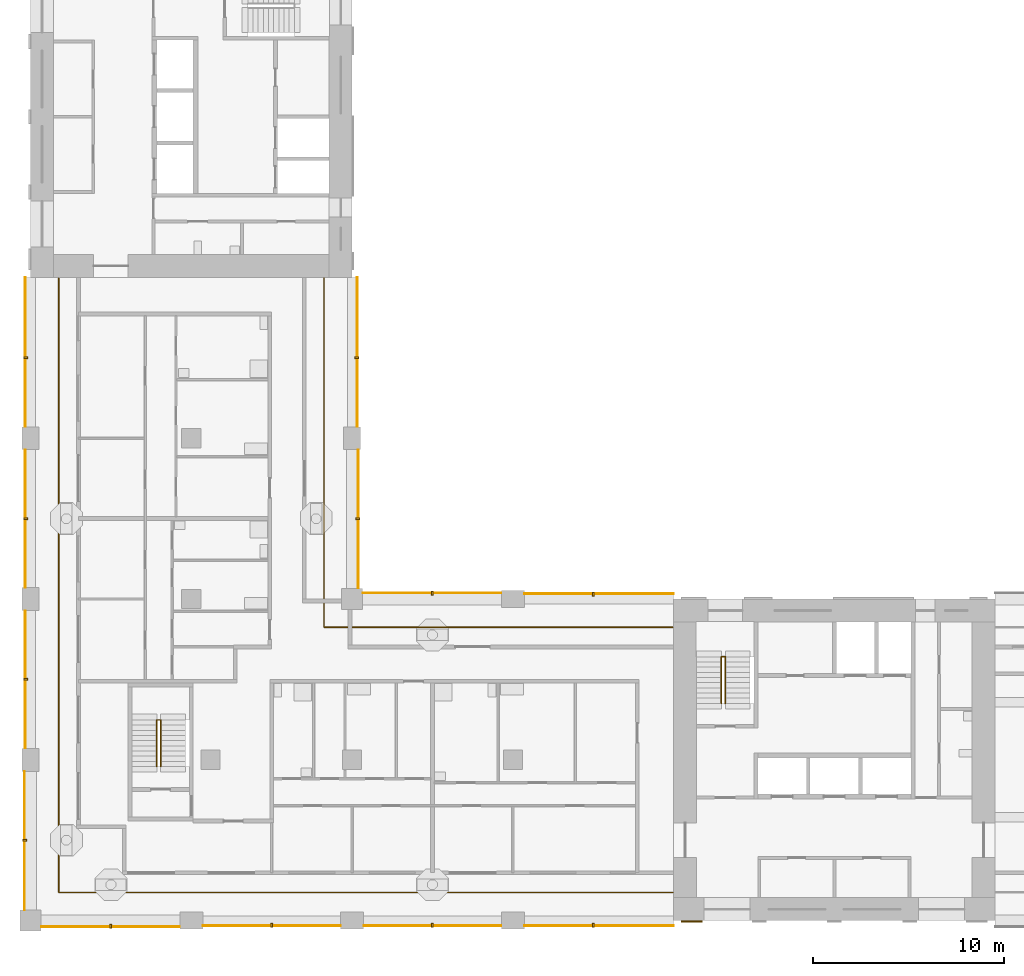
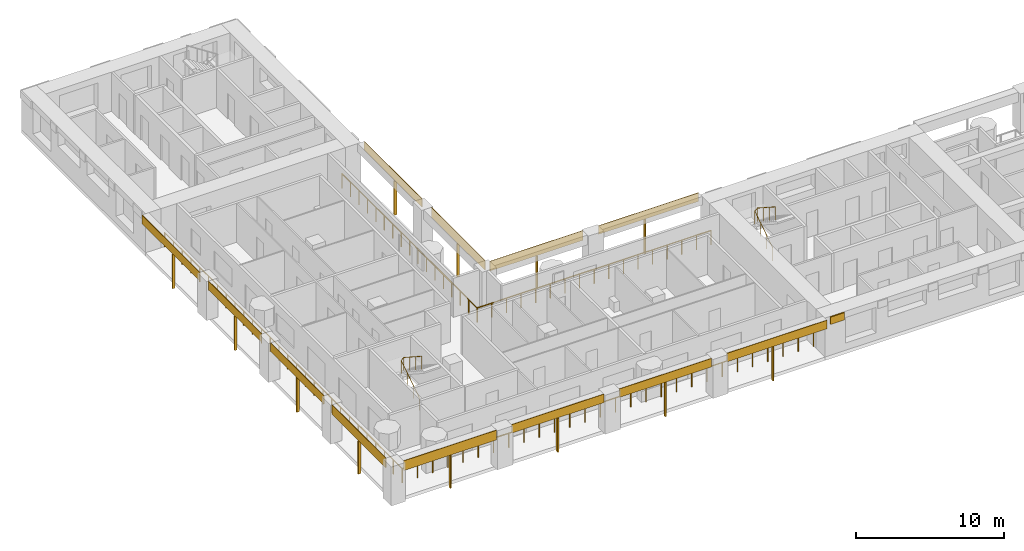
# One storey, part 8 of 13: 25 shading devices, 4 railings.
"""IFC4 building model written with IfcOpenShell, lengths in metres."""

from ifc_helpers import new_model, si_unit, direction, frame, origin, origin_2d, place, context, subcontext, project, spatial, rectangle, circle, extrude, material, layer, layer_set, material_profile, profile_set, type_object, element, save


model = new_model("IFC4")

# Units and contexts
model_context = context("Model", 3, precision=1e-05, world=origin(), true_north=direction((0.0, 1.0)))
body_context = subcontext(model_context, "Body", "Model", "MODEL_VIEW")
ifc_project = project(units=[si_unit("LENGTHUNIT", "METRE"), si_unit("AREAUNIT", "SQUARE_METRE"), si_unit("VOLUMEUNIT", "CUBIC_METRE"), si_unit("PLANEANGLEUNIT", "RADIAN"), si_unit("MASSUNIT", "GRAM", prefix="KILO")], contexts=[model_context])

# Site, building, storey
site_placement = place(None, origin())
site = spatial("IfcSite", under=ifc_project, at=site_placement, CompositionType="ELEMENT")
building_placement = place(site_placement, origin())
building = spatial("IfcBuilding", under=site, at=building_placement, Name="Vermilion Gate Residences", CompositionType="ELEMENT")
storey_placement = place(building_placement, frame((0.0, 0.0, 182.699951171875)))
storey = spatial("IfcBuildingStorey", under=building, at=storey_placement, Name="L47", CompositionType="ELEMENT", Elevation=182.699951171875)

# Railings
ifc_material_1 = material(Name="Stainless steel and toughened glass", Category="steel")
railing_type_1 = type_object("IfcRailingType", Name="LOGGIA GUARD STEEL AND GLASS 1200", PredefinedType="GUARDRAIL", material=ifc_material_1)
railing_1_placement = place(storey_placement, frame((41.97802734375, 23.72509765625, 0.0)))
element("IfcRailing", 1, at=railing_1_placement, inside=storey, type_object=railing_type_1, Name="Loggia guard", PredefinedType="GUARDRAIL", context=body_context, shape_type="SweptSolid", body=[
    extrude(circle(Radius=0.030029296875, at=origin_2d()), frame((0.0, 0.0, 1.169921875), z_axis=(-1.0, 0.0, 0.0), x_axis=(0.0, -1.0, 0.0)), (0.0, 0.0, 1.0), 18.2529296875),
    extrude(circle(Radius=0.030029296875, at=origin_2d()), frame((-18.2529296875, 0.0, 1.169921875), z_axis=(0.0, 1.0, 0.0), x_axis=(-1.0, 0.0, 0.0)), (0.0, 0.0, 1.0), 18.2529296875),
    extrude(circle(Radius=0.02490234375, at=origin_2d()), origin(), (0.0, 0.0, 1.0), 1.139892578125),
    extrude(circle(Radius=0.02490234375, at=origin_2d()), frame((-1.140869140625, 0.0, 0.0)), (0.0, 0.0, 1.0), 1.139892578125),
    extrude(circle(Radius=0.02490234375, at=origin_2d()), frame((-2.28173828125, 0.0, 0.0)), (0.0, 0.0, 1.0), 1.139892578125),
    extrude(circle(Radius=0.02490234375, at=origin_2d()), frame((-3.42236328125, 0.0, 0.0)), (0.0, 0.0, 1.0), 1.139892578125),
    extrude(circle(Radius=0.02490234375, at=origin_2d()), frame((-4.563232421875, 0.0, 0.0)), (0.0, 0.0, 1.0), 1.139892578125),
    extrude(circle(Radius=0.02490234375, at=origin_2d()), frame((-5.7041015625, 0.0, 0.0)), (0.0, 0.0, 1.0), 1.139892578125),
    extrude(circle(Radius=0.02490234375, at=origin_2d()), frame((-6.8447265625, 0.0, 0.0)), (0.0, 0.0, 1.0), 1.139892578125),
    extrude(circle(Radius=0.02490234375, at=origin_2d()), frame((-7.985595703125, 0.0, 0.0)), (0.0, 0.0, 1.0), 1.139892578125),
    extrude(circle(Radius=0.02490234375, at=origin_2d()), frame((-9.12646484375, 0.0, 0.0)), (0.0, 0.0, 1.0), 1.139892578125),
    extrude(circle(Radius=0.02490234375, at=origin_2d()), frame((-10.267333984375, 0.0, 0.0)), (0.0, 0.0, 1.0), 1.139892578125),
    extrude(circle(Radius=0.02490234375, at=origin_2d()), frame((-11.408203125, 0.0, 0.0)), (0.0, 0.0, 1.0), 1.139892578125),
    extrude(circle(Radius=0.02490234375, at=origin_2d()), frame((-12.548828125, 0.0, 0.0)), (0.0, 0.0, 1.0), 1.139892578125),
    extrude(circle(Radius=0.02490234375, at=origin_2d()), frame((-13.689697265625, 0.0, 0.0)), (0.0, 0.0, 1.0), 1.139892578125),
    extrude(circle(Radius=0.02490234375, at=origin_2d()), frame((-14.83056640625, 0.0, 0.0)), (0.0, 0.0, 1.0), 1.139892578125),
    extrude(circle(Radius=0.02490234375, at=origin_2d()), frame((-15.97119140625, 0.0, 0.0)), (0.0, 0.0, 1.0), 1.139892578125),
    extrude(circle(Radius=0.02490234375, at=origin_2d()), frame((-17.112060546875, 0.0, 0.0)), (0.0, 0.0, 1.0), 1.139892578125),
    extrude(circle(Radius=0.02490234375, at=origin_2d()), frame((-18.2529296875, 0.0, 0.0)), (0.0, 0.0, 1.0), 1.139892578125),
    extrude(circle(Radius=0.02490234375, at=origin_2d()), frame((-18.2529296875, 1.140869140625, 0.0)), (0.0, 0.0, 1.0), 1.139892578125),
    extrude(circle(Radius=0.02490234375, at=origin_2d()), frame((-18.2529296875, 2.28173828125, 0.0)), (0.0, 0.0, 1.0), 1.139892578125),
    extrude(circle(Radius=0.02490234375, at=origin_2d()), frame((-18.2529296875, 3.42236328125, 0.0)), (0.0, 0.0, 1.0), 1.139892578125),
    extrude(circle(Radius=0.02490234375, at=origin_2d()), frame((-18.2529296875, 4.563232421875, 0.0)), (0.0, 0.0, 1.0), 1.139892578125),
    extrude(circle(Radius=0.02490234375, at=origin_2d()), frame((-18.2529296875, 5.7041015625, 0.0)), (0.0, 0.0, 1.0), 1.139892578125),
    extrude(circle(Radius=0.02490234375, at=origin_2d()), frame((-18.2529296875, 6.8447265625, 0.0)), (0.0, 0.0, 1.0), 1.139892578125),
    extrude(circle(Radius=0.02490234375, at=origin_2d()), frame((-18.2529296875, 7.985595703125, 0.0)), (0.0, 0.0, 1.0), 1.139892578125),
    extrude(circle(Radius=0.02490234375, at=origin_2d()), frame((-18.2529296875, 9.12646484375, 0.0)), (0.0, 0.0, 1.0), 1.139892578125),
    extrude(circle(Radius=0.02490234375, at=origin_2d()), frame((-18.2529296875, 10.267333984375, 0.0)), (0.0, 0.0, 1.0), 1.139892578125),
    extrude(circle(Radius=0.02490234375, at=origin_2d()), frame((-18.2529296875, 11.408203125, 0.0)), (0.0, 0.0, 1.0), 1.139892578125),
    extrude(circle(Radius=0.02490234375, at=origin_2d()), frame((-18.2529296875, 12.548828125, 0.0)), (0.0, 0.0, 1.0), 1.139892578125),
    extrude(circle(Radius=0.02490234375, at=origin_2d()), frame((-18.2529296875, 13.689697265625, 0.0)), (0.0, 0.0, 1.0), 1.139892578125),
    extrude(circle(Radius=0.02490234375, at=origin_2d()), frame((-18.2529296875, 14.83056640625, 0.0)), (0.0, 0.0, 1.0), 1.139892578125),
    extrude(circle(Radius=0.02490234375, at=origin_2d()), frame((-18.2529296875, 15.97119140625, 0.0)), (0.0, 0.0, 1.0), 1.139892578125),
    extrude(circle(Radius=0.02490234375, at=origin_2d()), frame((-18.2529296875, 17.112060546875, 0.0)), (0.0, 0.0, 1.0), 1.139892578125),
    extrude(circle(Radius=0.02490234375, at=origin_2d()), frame((-18.2529296875, 18.2529296875, 0.0)), (0.0, 0.0, 1.0), 1.139892578125),
])
railing_2_placement = place(storey_placement, frame((9.875, 41.97802734375, 0.0)))
element("IfcRailing", 2, at=railing_2_placement, inside=storey, type_object=railing_type_1, Name="Loggia guard", PredefinedType="GUARDRAIL", context=body_context, shape_type="SweptSolid", body=[
    extrude(circle(Radius=0.030029296875, at=origin_2d()), frame((0.0, 0.0, 1.169921875), z_axis=(0.0, -1.0, 0.0), x_axis=(1.0, 0.0, 0.0)), (0.0, 0.0, 1.0), 32.10302734375),
    extrude(circle(Radius=0.030029296875, at=origin_2d()), frame((0.0, -32.10302734375, 1.169921875), z_axis=(1.0, 0.0, 0.0), x_axis=(0.0, 1.0, 0.0)), (0.0, 0.0, 1.0), 32.10302734375),
    extrude(circle(Radius=0.02490234375, at=origin_2d()), origin(), (0.0, 0.0, 1.0), 1.139892578125),
    extrude(circle(Radius=0.02490234375, at=origin_2d()), frame((0.0, -1.18896484375, 0.0)), (0.0, 0.0, 1.0), 1.139892578125),
    extrude(circle(Radius=0.02490234375, at=origin_2d()), frame((0.0, -2.3779296875, 0.0)), (0.0, 0.0, 1.0), 1.139892578125),
    extrude(circle(Radius=0.02490234375, at=origin_2d()), frame((0.0, -3.56689453125, 0.0)), (0.0, 0.0, 1.0), 1.139892578125),
    extrude(circle(Radius=0.02490234375, at=origin_2d()), frame((0.0, -4.756103515625, 0.0)), (0.0, 0.0, 1.0), 1.139892578125),
    extrude(circle(Radius=0.02490234375, at=origin_2d()), frame((0.0, -5.945068359375, 0.0)), (0.0, 0.0, 1.0), 1.139892578125),
    extrude(circle(Radius=0.02490234375, at=origin_2d()), frame((0.0, -7.134033203125, 0.0)), (0.0, 0.0, 1.0), 1.139892578125),
    extrude(circle(Radius=0.02490234375, at=origin_2d()), frame((0.0, -8.322998046875, 0.0)), (0.0, 0.0, 1.0), 1.139892578125),
    extrude(circle(Radius=0.02490234375, at=origin_2d()), frame((0.0, -9.511962890625, 0.0)), (0.0, 0.0, 1.0), 1.139892578125),
    extrude(circle(Radius=0.02490234375, at=origin_2d()), frame((0.0, -10.700927734375, 0.0)), (0.0, 0.0, 1.0), 1.139892578125),
    extrude(circle(Radius=0.02490234375, at=origin_2d()), frame((0.0, -11.889892578125, 0.0)), (0.0, 0.0, 1.0), 1.139892578125),
    extrude(circle(Radius=0.02490234375, at=origin_2d()), frame((0.0, -13.0791015625, 0.0)), (0.0, 0.0, 1.0), 1.139892578125),
    extrude(circle(Radius=0.02490234375, at=origin_2d()), frame((0.0, -14.26806640625, 0.0)), (0.0, 0.0, 1.0), 1.139892578125),
    extrude(circle(Radius=0.02490234375, at=origin_2d()), frame((0.0, -15.45703125, 0.0)), (0.0, 0.0, 1.0), 1.139892578125),
    extrude(circle(Radius=0.02490234375, at=origin_2d()), frame((0.0, -16.64599609375, 0.0)), (0.0, 0.0, 1.0), 1.139892578125),
    extrude(circle(Radius=0.02490234375, at=origin_2d()), frame((0.0, -17.8349609375, 0.0)), (0.0, 0.0, 1.0), 1.139892578125),
    extrude(circle(Radius=0.02490234375, at=origin_2d()), frame((0.0, -19.02392578125, 0.0)), (0.0, 0.0, 1.0), 1.139892578125),
    extrude(circle(Radius=0.02490234375, at=origin_2d()), frame((0.0, -20.213134765625, 0.0)), (0.0, 0.0, 1.0), 1.139892578125),
    extrude(circle(Radius=0.02490234375, at=origin_2d()), frame((0.0, -21.402099609375, 0.0)), (0.0, 0.0, 1.0), 1.139892578125),
    extrude(circle(Radius=0.02490234375, at=origin_2d()), frame((0.0, -22.591064453125, 0.0)), (0.0, 0.0, 1.0), 1.139892578125),
    extrude(circle(Radius=0.02490234375, at=origin_2d()), frame((0.0, -23.780029296875, 0.0)), (0.0, 0.0, 1.0), 1.139892578125),
    extrude(circle(Radius=0.02490234375, at=origin_2d()), frame((0.0, -24.968994140625, 0.0)), (0.0, 0.0, 1.0), 1.139892578125),
    extrude(circle(Radius=0.02490234375, at=origin_2d()), frame((0.0, -26.157958984375, 0.0)), (0.0, 0.0, 1.0), 1.139892578125),
    extrude(circle(Radius=0.02490234375, at=origin_2d()), frame((0.0, -27.346923828125, 0.0)), (0.0, 0.0, 1.0), 1.139892578125),
    extrude(circle(Radius=0.02490234375, at=origin_2d()), frame((0.0, -28.5361328125, 0.0)), (0.0, 0.0, 1.0), 1.139892578125),
    extrude(circle(Radius=0.02490234375, at=origin_2d()), frame((0.0, -29.72509765625, 0.0)), (0.0, 0.0, 1.0), 1.139892578125),
    extrude(circle(Radius=0.02490234375, at=origin_2d()), frame((0.0, -30.9140625, 0.0)), (0.0, 0.0, 1.0), 1.139892578125),
    extrude(circle(Radius=0.02490234375, at=origin_2d()), frame((0.0, -32.10302734375, 0.0)), (0.0, 0.0, 1.0), 1.139892578125),
    extrude(circle(Radius=0.02490234375, at=origin_2d()), frame((1.18896484375, -32.10302734375, 0.0)), (0.0, 0.0, 1.0), 1.139892578125),
    extrude(circle(Radius=0.02490234375, at=origin_2d()), frame((2.3779296875, -32.10302734375, 0.0)), (0.0, 0.0, 1.0), 1.139892578125),
    extrude(circle(Radius=0.02490234375, at=origin_2d()), frame((3.56689453125, -32.10302734375, 0.0)), (0.0, 0.0, 1.0), 1.139892578125),
    extrude(circle(Radius=0.02490234375, at=origin_2d()), frame((4.756103515625, -32.10302734375, 0.0)), (0.0, 0.0, 1.0), 1.139892578125),
    extrude(circle(Radius=0.02490234375, at=origin_2d()), frame((5.945068359375, -32.10302734375, 0.0)), (0.0, 0.0, 1.0), 1.139892578125),
    extrude(circle(Radius=0.02490234375, at=origin_2d()), frame((7.134033203125, -32.10302734375, 0.0)), (0.0, 0.0, 1.0), 1.139892578125),
    extrude(circle(Radius=0.02490234375, at=origin_2d()), frame((8.322998046875, -32.10302734375, 0.0)), (0.0, 0.0, 1.0), 1.139892578125),
    extrude(circle(Radius=0.02490234375, at=origin_2d()), frame((9.511962890625, -32.10302734375, 0.0)), (0.0, 0.0, 1.0), 1.139892578125),
    extrude(circle(Radius=0.02490234375, at=origin_2d()), frame((10.700927734375, -32.10302734375, 0.0)), (0.0, 0.0, 1.0), 1.139892578125),
    extrude(circle(Radius=0.02490234375, at=origin_2d()), frame((11.889892578125, -32.10302734375, 0.0)), (0.0, 0.0, 1.0), 1.139892578125),
    extrude(circle(Radius=0.02490234375, at=origin_2d()), frame((13.0791015625, -32.10302734375, 0.0)), (0.0, 0.0, 1.0), 1.139892578125),
    extrude(circle(Radius=0.02490234375, at=origin_2d()), frame((14.26806640625, -32.10302734375, 0.0)), (0.0, 0.0, 1.0), 1.139892578125),
    extrude(circle(Radius=0.02490234375, at=origin_2d()), frame((15.45703125, -32.10302734375, 0.0)), (0.0, 0.0, 1.0), 1.139892578125),
    extrude(circle(Radius=0.02490234375, at=origin_2d()), frame((16.64599609375, -32.10302734375, 0.0)), (0.0, 0.0, 1.0), 1.139892578125),
    extrude(circle(Radius=0.02490234375, at=origin_2d()), frame((17.8349609375, -32.10302734375, 0.0)), (0.0, 0.0, 1.0), 1.139892578125),
    extrude(circle(Radius=0.02490234375, at=origin_2d()), frame((19.02392578125, -32.10302734375, 0.0)), (0.0, 0.0, 1.0), 1.139892578125),
    extrude(circle(Radius=0.02490234375, at=origin_2d()), frame((20.213134765625, -32.10302734375, 0.0)), (0.0, 0.0, 1.0), 1.139892578125),
    extrude(circle(Radius=0.02490234375, at=origin_2d()), frame((21.402099609375, -32.10302734375, 0.0)), (0.0, 0.0, 1.0), 1.139892578125),
    extrude(circle(Radius=0.02490234375, at=origin_2d()), frame((22.591064453125, -32.10302734375, 0.0)), (0.0, 0.0, 1.0), 1.139892578125),
    extrude(circle(Radius=0.02490234375, at=origin_2d()), frame((23.780029296875, -32.10302734375, 0.0)), (0.0, 0.0, 1.0), 1.139892578125),
    extrude(circle(Radius=0.02490234375, at=origin_2d()), frame((24.968994140625, -32.10302734375, 0.0)), (0.0, 0.0, 1.0), 1.139892578125),
    extrude(circle(Radius=0.02490234375, at=origin_2d()), frame((26.157958984375, -32.10302734375, 0.0)), (0.0, 0.0, 1.0), 1.139892578125),
    extrude(circle(Radius=0.02490234375, at=origin_2d()), frame((27.346923828125, -32.10302734375, 0.0)), (0.0, 0.0, 1.0), 1.139892578125),
    extrude(circle(Radius=0.02490234375, at=origin_2d()), frame((28.5361328125, -32.10302734375, 0.0)), (0.0, 0.0, 1.0), 1.139892578125),
    extrude(circle(Radius=0.02490234375, at=origin_2d()), frame((29.72509765625, -32.10302734375, 0.0)), (0.0, 0.0, 1.0), 1.139892578125),
    extrude(circle(Radius=0.02490234375, at=origin_2d()), frame((30.9140625, -32.10302734375, 0.0)), (0.0, 0.0, 1.0), 1.139892578125),
    extrude(circle(Radius=0.02490234375, at=origin_2d()), frame((32.10302734375, -32.10302734375, 0.0)), (0.0, 0.0, 1.0), 1.139892578125),
])

# Shading devices
ifc_material_2 = material(Name="Perforated terracotta", Category="masonry")
ifc_layer_1 = layer(ifc_material_2, 0.0400390625)
ifc_layer_set_1 = layer_set([ifc_layer_1], Name="PERFORATED TERRACOTTA SCREEN 40")
shading_device_type_1 = type_object("IfcShadingDeviceType", Name="PERFORATED TERRACOTTA SCREEN 40", PredefinedType="SHUTTER", material=ifc_layer_set_1)
shading_device_1_placement = place(storey_placement, frame((12.574951171875, 8.080078125, 2.419921875), z_axis=(0.0, 0.0, 1.0), x_axis=(1.0, 0.0, 0.0)))
element("IfcShadingDevice", 3, at=shading_device_1_placement, inside=storey, type_object=shading_device_type_1, Name="SCREEN", PredefinedType="SHUTTER", context=body_context, shape_type="SweptSolid", body=[
    extrude(rectangle(XDim=7.25, YDim=0.0400390625, at=origin_2d()), origin(), (0.0, 0.0, 1.0), 0.800048828125),
])
for number, where, z_axis, x_axis, name in (
    (4, (21.0, 8.1298828125, 2.52001953125), (0.0, 0.0, 1.0), (1.0, 0.0, 0.0), "SCREEN"),
    (5, (29.39990234375, 8.1298828125, 2.52001953125), (0.0, 0.0, 1.0), (1.0, 0.0, 0.0), "SCREEN"),
):
    element("IfcShadingDevice", number, at=place(storey_placement, frame(where, z_axis=z_axis, x_axis=x_axis)), inside=storey, type_object=shading_device_type_1, Name=name, PredefinedType="SHUTTER", context=body_context, shape_type="SweptSolid", body=[
        extrude(rectangle(XDim=7.199951171875, YDim=0.0400390625, at=origin_2d()), origin(), (0.0, 0.0, 1.0), 0.699951171875),
    ])
shading_device_2_placement = place(storey_placement, frame((38.10009765625, 8.1298828125, 2.52001953125), z_axis=(0.0, 0.0, 1.0), x_axis=(1.0, 0.0, 0.0)))
element("IfcShadingDevice", 6, at=shading_device_2_placement, inside=storey, type_object=shading_device_type_1, Name="SCREEN", PredefinedType="SHUTTER", context=body_context, shape_type="SweptSolid", body=[
    extrude(rectangle(XDim=7.800048828125, YDim=0.0400390625, at=origin_2d()), origin(), (0.0, 0.0, 1.0), 0.699951171875),
])
shading_device_3_placement = place(storey_placement, frame((29.375, 25.52001953125, 2.419921875), z_axis=(0.0, 0.0, 1.0), x_axis=(-1.0, 0.0, 0.0)))
element("IfcShadingDevice", 7, at=shading_device_3_placement, inside=storey, type_object=shading_device_type_1, Name="SCREEN", PredefinedType="SHUTTER", context=body_context, shape_type="SweptSolid", body=[
    extrude(rectangle(XDim=7.25, YDim=0.0400390625, at=origin_2d()), origin(), (0.0, 0.0, 1.0), 0.800048828125),
])
shading_device_4_placement = place(storey_placement, frame((38.10009765625, 25.469970703125, 2.52001953125), z_axis=(0.0, 0.0, 1.0), x_axis=(-1.0, 0.0, 0.0)))
element("IfcShadingDevice", 8, at=shading_device_4_placement, inside=storey, type_object=shading_device_type_1, Name="SCREEN", PredefinedType="SHUTTER", context=body_context, shape_type="SweptSolid", body=[
    extrude(rectangle(XDim=7.800048828125, YDim=0.0400390625, at=origin_2d()), origin(), (0.0, 0.0, 1.0), 0.699951171875),
])
shading_device_5_placement = place(storey_placement, frame((25.52001953125, 29.375, 2.419921875), z_axis=(0.0, 0.0, 1.0), x_axis=(0.0, 1.0, 0.0)))
element("IfcShadingDevice", 9, at=shading_device_5_placement, inside=storey, type_object=shading_device_type_1, Name="SCREEN", PredefinedType="SHUTTER", context=body_context, shape_type="SweptSolid", body=[
    extrude(rectangle(XDim=7.25, YDim=0.0400390625, at=origin_2d()), origin(), (0.0, 0.0, 1.0), 0.800048828125),
])
shading_device_6_placement = place(storey_placement, frame((25.469970703125, 38.10009765625, 2.52001953125), z_axis=(0.0, 0.0, 1.0), x_axis=(0.0, 1.0, 0.0)))
element("IfcShadingDevice", 10, at=shading_device_6_placement, inside=storey, type_object=shading_device_type_1, Name="SCREEN", PredefinedType="SHUTTER", context=body_context, shape_type="SweptSolid", body=[
    extrude(rectangle(XDim=7.800048828125, YDim=0.0400390625, at=origin_2d()), origin(), (0.0, 0.0, 1.0), 0.699951171875),
])
shading_device_7_placement = place(storey_placement, frame((8.080078125, 12.574951171875, 2.419921875), z_axis=(0.0, 0.0, 1.0), x_axis=(0.0, -1.0, 0.0)))
element("IfcShadingDevice", 11, at=shading_device_7_placement, inside=storey, type_object=shading_device_type_1, Name="SCREEN", PredefinedType="SHUTTER", context=body_context, shape_type="SweptSolid", body=[
    extrude(rectangle(XDim=7.25, YDim=0.0400390625, at=origin_2d()), origin(), (0.0, 0.0, 1.0), 0.800048828125),
])
for number, where, z_axis, x_axis, name in (
    (12, (8.1298828125, 21.0, 2.52001953125), (0.0, 0.0, 1.0), (0.0, -1.0, 0.0), "SCREEN"),
    (13, (8.1298828125, 29.39990234375, 2.52001953125), (0.0, 0.0, 1.0), (0.0, -1.0, 0.0), "SCREEN"),
):
    element("IfcShadingDevice", number, at=place(storey_placement, frame(where, z_axis=z_axis, x_axis=x_axis)), inside=storey, type_object=shading_device_type_1, Name=name, PredefinedType="SHUTTER", context=body_context, shape_type="SweptSolid", body=[
        extrude(rectangle(XDim=7.199951171875, YDim=0.0400390625, at=origin_2d()), origin(), (0.0, 0.0, 1.0), 0.699951171875),
    ])
shading_device_8_placement = place(storey_placement, frame((8.1298828125, 38.10009765625, 2.52001953125), z_axis=(0.0, 0.0, 1.0), x_axis=(0.0, -1.0, 0.0)))
element("IfcShadingDevice", 14, at=shading_device_8_placement, inside=storey, type_object=shading_device_type_1, Name="SCREEN", PredefinedType="SHUTTER", context=body_context, shape_type="SweptSolid", body=[
    extrude(rectangle(XDim=7.800048828125, YDim=0.0400390625, at=origin_2d()), origin(), (0.0, 0.0, 1.0), 0.699951171875),
])

# Railings
ifc_material_3 = material(Name="Steel S355", Category="steel")
railing_type_2 = type_object("IfcRailingType", Name="STAIR GUARD 1100 STEEL", PredefinedType="GUARDRAIL", material=ifc_material_3)
for number, where, name in (
    (15, (44.5, 19.75, 0.175048828125), "Stair well guard STA1-47"),
    (16, (15.0, 16.449951171875, 0.175048828125), "Stair well guard STC1-47"),
):
    element("IfcRailing", number, at=place(storey_placement, frame(where)), inside=storey, type_object=railing_type_2, Name=name, PredefinedType="GUARDRAIL", context=body_context, shape_type="SweptSolid", body=[
        extrude(circle(Radius=0.02392578125, at=origin_2d()), frame((0.0, 0.0, 1.076171875), z_axis=(0.0, 0.839153699163, 0.543894354798), x_axis=(-1.0, 0.0, 0.0)), (0.0, 0.0, 1.0), 2.895751953125),
        extrude(circle(Radius=0.02392578125, at=origin_2d()), frame((0.0, 2.429931640625, 2.65087890625), z_axis=(0.752405939678, 0.0, 0.658699705433), x_axis=(0.0, 1.0, 0.0)), (0.0, 0.0, 1.0), 0.265869140625),
        extrude(circle(Radius=0.02392578125, at=origin_2d()), frame((0.199951171875, 2.429931640625, 2.826171875), z_axis=(0.0, -0.839153699163, 0.543894354798), x_axis=(1.0, 0.0, 0.0)), (0.0, 0.0, 1.0), 2.895751953125),
        extrude(circle(Radius=0.02099609375, at=origin_2d()), origin(), (0.0, 0.0, 1.0), 1.052001953125),
        extrude(circle(Radius=0.02099609375, at=origin_2d()), frame((0.0, 0.81005859375, 0.52490234375)), (0.0, 0.0, 1.0), 1.052001953125),
        extrude(circle(Radius=0.02099609375, at=origin_2d()), frame((0.0, 1.619873046875, 1.050048828125)), (0.0, 0.0, 1.0), 1.052001953125),
        extrude(circle(Radius=0.02099609375, at=origin_2d()), frame((0.0, 2.429931640625, 1.574951171875)), (0.0, 0.0, 1.0), 1.052001953125),
        extrude(circle(Radius=0.02099609375, at=origin_2d()), frame((0.199951171875, 2.429931640625, 1.75)), (0.0, 0.0, 1.0), 1.052001953125),
        extrude(circle(Radius=0.02099609375, at=origin_2d()), frame((0.199951171875, 1.619873046875, 2.27490234375)), (0.0, 0.0, 1.0), 1.052001953125),
        extrude(circle(Radius=0.02099609375, at=origin_2d()), frame((0.199951171875, 0.81005859375, 2.800048828125)), (0.0, 0.0, 1.0), 1.052001953125),
        extrude(circle(Radius=0.02099609375, at=origin_2d()), frame((0.199951171875, 0.0, 3.324951171875)), (0.0, 0.0, 1.0), 1.052001953125),
    ])

# Shading devices
ifc_material_4 = material(Name="Extruded terracotta", Category="masonry")
ifc_material_profile = material_profile(ifc_material_4, rectangle(XDim=0.199951171875, YDim=0.10009765625, at=origin_2d()), Name="BAGUETTE 100 X 200")
ifc_profile_set = profile_set([ifc_material_profile], Name="Extruded terracotta")
shading_device_type_2 = type_object("IfcShadingDeviceType", Name="TERRACOTTA BAGUETTE 100 X 200", PredefinedType="JALOUSIE", material=ifc_profile_set)
shading_device_9_placement = place(storey_placement, frame((12.60009765625, 8.10009765625, -0.280029296875), z_axis=(0.0, 0.0, 1.0), x_axis=(0.0, 1.0, 0.0)))
element("IfcShadingDevice", 17, at=shading_device_9_placement, inside=storey, type_object=shading_device_type_2, Name="BAGUETTE", PredefinedType="JALOUSIE", context=body_context, shape_type="SweptSolid", body=[
    extrude(rectangle(XDim=0.199951171875, YDim=0.10009765625, at=origin_2d()), origin(), (0.0, 0.0, 1.0), 2.7001953125),
])
for number, where, z_axis, x_axis, name in (
    (18, (21.0, 8.14990234375, -0.280029296875), (0.0, 0.0, 1.0), (0.0, 1.0, 0.0), "BAGUETTE"),
    (19, (29.39990234375, 8.14990234375, -0.280029296875), (0.0, 0.0, 1.0), (0.0, 1.0, 0.0), "BAGUETTE"),
    (20, (37.800048828125, 8.14990234375, -0.280029296875), (0.0, 0.0, 1.0), (0.0, 1.0, 0.0), "BAGUETTE"),
):
    element("IfcShadingDevice", number, at=place(storey_placement, frame(where, z_axis=z_axis, x_axis=x_axis)), inside=storey, type_object=shading_device_type_2, Name=name, PredefinedType="JALOUSIE", context=body_context, shape_type="SweptSolid", body=[
        extrude(rectangle(XDim=0.199951171875, YDim=0.10009765625, at=origin_2d()), origin(), (0.0, 0.0, 1.0), 2.800048828125),
    ])
shading_device_10_placement = place(storey_placement, frame((29.39990234375, 25.5, -0.280029296875), z_axis=(0.0, 0.0, 1.0), x_axis=(0.0, -1.0, 0.0)))
element("IfcShadingDevice", 21, at=shading_device_10_placement, inside=storey, type_object=shading_device_type_2, Name="BAGUETTE", PredefinedType="JALOUSIE", context=body_context, shape_type="SweptSolid", body=[
    extrude(rectangle(XDim=0.199951171875, YDim=0.10009765625, at=origin_2d()), origin(), (0.0, 0.0, 1.0), 2.7001953125),
])
shading_device_11_placement = place(storey_placement, frame((37.800048828125, 25.449951171875, -0.280029296875), z_axis=(0.0, 0.0, 1.0), x_axis=(0.0, -1.0, 0.0)))
element("IfcShadingDevice", 22, at=shading_device_11_placement, inside=storey, type_object=shading_device_type_2, Name="BAGUETTE", PredefinedType="JALOUSIE", context=body_context, shape_type="SweptSolid", body=[
    extrude(rectangle(XDim=0.199951171875, YDim=0.10009765625, at=origin_2d()), origin(), (0.0, 0.0, 1.0), 2.800048828125),
])
shading_device_12_placement = place(storey_placement, frame((25.5, 29.39990234375, -0.280029296875), z_axis=(0.0, 0.0, 1.0), x_axis=(-1.0, 0.0, 0.0)))
element("IfcShadingDevice", 23, at=shading_device_12_placement, inside=storey, type_object=shading_device_type_2, Name="BAGUETTE", PredefinedType="JALOUSIE", context=body_context, shape_type="SweptSolid", body=[
    extrude(rectangle(XDim=0.199951171875, YDim=0.10009765625, at=origin_2d()), origin(), (0.0, 0.0, 1.0), 2.7001953125),
])
shading_device_13_placement = place(storey_placement, frame((25.449951171875, 37.800048828125, -0.280029296875), z_axis=(0.0, 0.0, 1.0), x_axis=(-1.0, 0.0, 0.0)))
element("IfcShadingDevice", 24, at=shading_device_13_placement, inside=storey, type_object=shading_device_type_2, Name="BAGUETTE", PredefinedType="JALOUSIE", context=body_context, shape_type="SweptSolid", body=[
    extrude(rectangle(XDim=0.199951171875, YDim=0.10009765625, at=origin_2d()), origin(), (0.0, 0.0, 1.0), 2.800048828125),
])
shading_device_14_placement = place(storey_placement, frame((8.10009765625, 12.60009765625, -0.280029296875), z_axis=(0.0, 0.0, 1.0), x_axis=(1.0, 0.0, 0.0)))
element("IfcShadingDevice", 25, at=shading_device_14_placement, inside=storey, type_object=shading_device_type_2, Name="BAGUETTE", PredefinedType="JALOUSIE", context=body_context, shape_type="SweptSolid", body=[
    extrude(rectangle(XDim=0.199951171875, YDim=0.10009765625, at=origin_2d()), origin(), (0.0, 0.0, 1.0), 2.7001953125),
])
for number, where, z_axis, x_axis, name in (
    (26, (8.14990234375, 21.0, -0.280029296875), (0.0, 0.0, 1.0), (1.0, 0.0, 0.0), "BAGUETTE"),
    (27, (8.14990234375, 29.39990234375, -0.280029296875), (0.0, 0.0, 1.0), (1.0, 0.0, 0.0), "BAGUETTE"),
    (28, (8.14990234375, 37.800048828125, -0.280029296875), (0.0, 0.0, 1.0), (1.0, 0.0, 0.0), "BAGUETTE"),
):
    element("IfcShadingDevice", number, at=place(storey_placement, frame(where, z_axis=z_axis, x_axis=x_axis)), inside=storey, type_object=shading_device_type_2, Name=name, PredefinedType="JALOUSIE", context=body_context, shape_type="SweptSolid", body=[
        extrude(rectangle(XDim=0.199951171875, YDim=0.10009765625, at=origin_2d()), origin(), (0.0, 0.0, 1.0), 2.800048828125),
    ])
ifc_material_5 = material(Name="Extruded terracotta", Category="masonry")
ifc_layer_2 = layer(ifc_material_5, 0.10009765625)
ifc_layer_set_2 = layer_set([ifc_layer_2], Name="TERRACOTTA SPANDREL BAND 600 X 100")
shading_device_type_3 = type_object("IfcShadingDeviceType", Name="TERRACOTTA SPANDREL BAND 600 X 100", PredefinedType="USERDEFINED", material=ifc_layer_set_2)
shading_device_15_placement = place(storey_placement, frame((42.949951171875, 8.35009765625, 2.6201171875), z_axis=(0.0, 0.0, 1.0), x_axis=(1.0, 0.0, 0.0)))
element("IfcShadingDevice", 29, at=shading_device_15_placement, inside=storey, type_object=shading_device_type_3, Name="SPANDREL BAND", ObjectType="BAND", PredefinedType="USERDEFINED", context=body_context, shape_type="SweptSolid", body=[
    extrude(rectangle(XDim=1.10009765625, YDim=0.10009765625, at=origin_2d()), origin(), (0.0, 0.0, 1.0), 0.60009765625),
])

save(model, "model.ifc")
